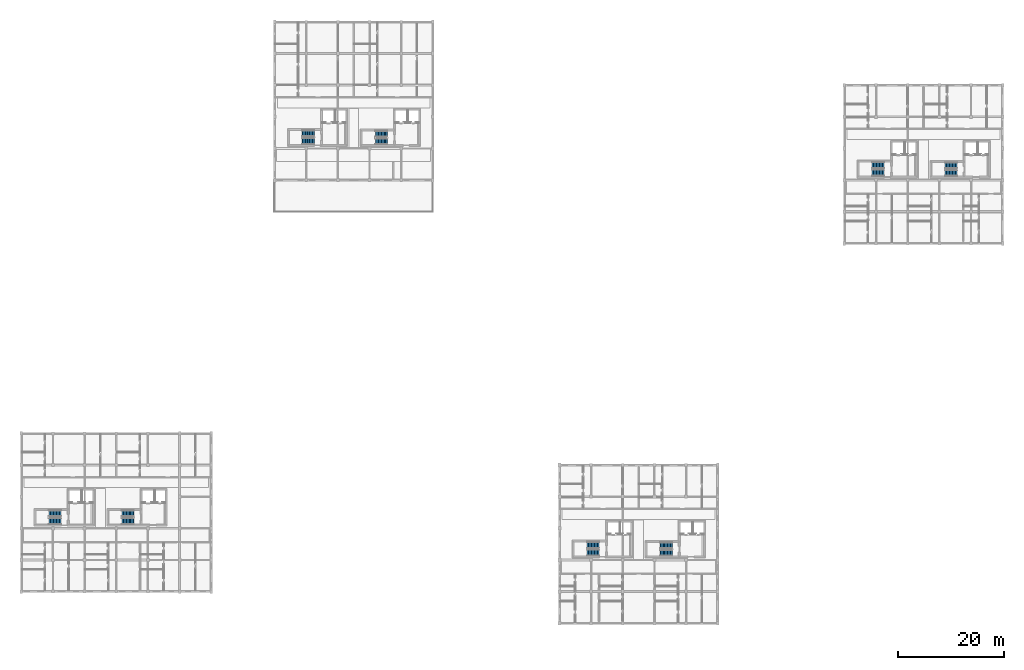
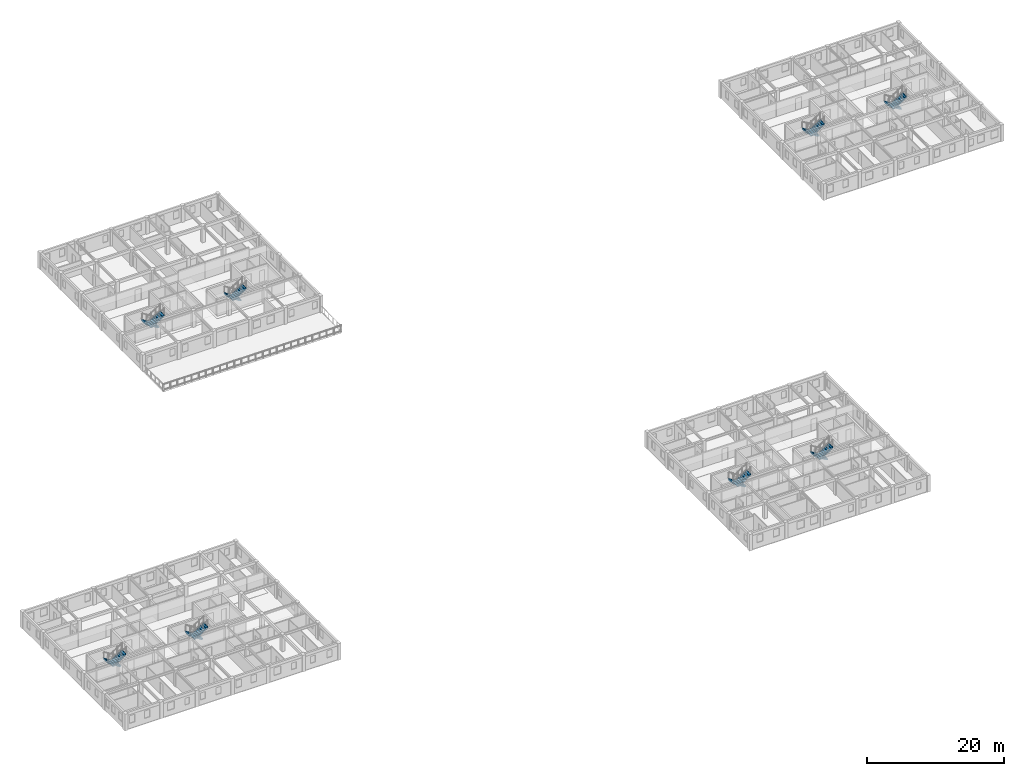
# One storey, part 24 of 28: 16 stair flights, 8 elements without a shape of their own.
"""IFC4 building model written with IfcOpenShell, lengths in metres."""

from ifc_helpers import new_model, si_unit, direction, frame, origin, place, context, subcontext, project, spatial, polyline, outline, extrude, material, type_object, element, aggregate, save


model = new_model("IFC4")

# Units and contexts
model_context = context("Model", 3, precision=1e-05, world=origin(), true_north=direction((0.0, 1.0)))
body_context = subcontext(model_context, "Body", "Model", "MODEL_VIEW")
ifc_project = project(units=[si_unit("LENGTHUNIT", "METRE"), si_unit("AREAUNIT", "SQUARE_METRE"), si_unit("VOLUMEUNIT", "CUBIC_METRE"), si_unit("PLANEANGLEUNIT", "RADIAN"), si_unit("MASSUNIT", "GRAM", prefix="KILO"), si_unit("POWERUNIT", "WATT"), si_unit("THERMODYNAMICTEMPERATUREUNIT", "KELVIN")], contexts=[model_context])

# Site, building, storey
site_placement = place(None, origin())
site = spatial("IfcSite", under=ifc_project, at=site_placement, CompositionType="ELEMENT")
building_placement = place(site_placement, origin())
building = spatial("IfcBuilding", under=site, at=building_placement, Name="Ruvembo Vaulted Housing Court", CompositionType="ELEMENT")
storey_placement = place(building_placement, frame((0.0, 0.0, 23.699951171875)))
storey = spatial("IfcBuildingStorey", under=building, at=storey_placement, Name="L07", CompositionType="ELEMENT", Elevation=23.699951171875)

# Stair, stair flights
ifc_material = material(Name="Concrete C35/45", Category="concrete")
stair_type_1 = type_object("IfcStairType", Name="STR-CORE-1200", PredefinedType="HALF_TURN_STAIR", material=ifc_material)
stair_1_placement = place(storey_placement, origin())
stair_1 = element("IfcStair", 1, at=stair_1_placement, inside=storey, type_object=stair_type_1, Name="L07 Protected Exit Stair ST-B2", PredefinedType="HALF_TURN_STAIR")
stair_flight_type_1 = type_object("IfcStairFlightType", Name="SFL-1200", PredefinedType="STRAIGHT", material=ifc_material)
stair_flight_1_placement = place(storey_placement, frame((69.35009765625, 92.75, 0.0), z_axis=(0.0, 0.0, 1.0), x_axis=(-1.0, 0.0, 0.0)))
stair_flight_1 = element("IfcStairFlight", 2, at=stair_flight_1_placement, type_object=stair_flight_type_1, Name="ST-B2 flight 1", NumberOfRisers=9, NumberOfTreads=8, PredefinedType="STRAIGHT", RiserHeight=0.177777778, TreadLength=0.28, context=body_context, shape_type="SweptSolid", body=[
    extrude(outline(polyline([(-0.02490234375, -0.0400390625), (-0.02490234375, 0.0), (0.0, 0.0), (0.0, 0.177734375), (0.280029296875, 0.177734375), (0.280029296875, 0.35546875), (0.56005859375, 0.35546875), (0.56005859375, 0.533447265625), (0.840087890625, 0.533447265625), (0.840087890625, 0.711181640625), (1.1201171875, 0.711181640625), (1.1201171875, 0.888916015625), (1.39990234375, 0.888916015625), (1.39990234375, 1.066650390625), (1.679931640625, 1.066650390625), (1.679931640625, 1.244384765625), (1.9599609375, 1.244384765625), (1.9599609375, 1.422119140625), (2.239990234375, 1.422119140625), (2.239990234375, 1.60009765625), (2.264892578125, 1.60009765625), (2.264892578125, 1.4501953125), (2.239990234375, 1.24462890625), (0.27978515625, 0.0), (0.0, -0.0400390625), (-0.02490234375, -0.0400390625)])), frame((0.0, 0.60009765625, 0.0), z_axis=(0.0, -1.0, 0.0), x_axis=(1.0, 0.0, 0.0)), (0.0, 0.0, 1.0), 1.199951171875),
])
stair_flight_2_placement = place(storey_placement, frame((67.110107421875, 91.35009765625, 1.60009765625), z_axis=(0.0, 0.0, 1.0), x_axis=(1.0, 0.0, 0.0)))
stair_flight_2 = element("IfcStairFlight", 3, at=stair_flight_2_placement, type_object=stair_flight_type_1, Name="ST-B2 flight 2", NumberOfRisers=9, NumberOfTreads=8, PredefinedType="STRAIGHT", RiserHeight=0.177777778, TreadLength=0.28, context=body_context, shape_type="SweptSolid", body=[
    extrude(outline(polyline([(-0.02490234375, -0.0400390625), (-0.02490234375, 0.0), (0.0, 0.0), (0.0, 0.177734375), (0.280029296875, 0.177734375), (0.280029296875, 0.35546875), (0.56005859375, 0.35546875), (0.56005859375, 0.533447265625), (0.840087890625, 0.533447265625), (0.840087890625, 0.711181640625), (1.1201171875, 0.711181640625), (1.1201171875, 0.888916015625), (1.39990234375, 0.888916015625), (1.39990234375, 1.066650390625), (1.679931640625, 1.066650390625), (1.679931640625, 1.244384765625), (1.9599609375, 1.244384765625), (1.9599609375, 1.422119140625), (2.239990234375, 1.422119140625), (2.239990234375, 1.60009765625), (2.264892578125, 1.60009765625), (2.264892578125, 1.4501953125), (2.239990234375, 1.24462890625), (0.27978515625, 0.0), (0.0, -0.0400390625), (-0.02490234375, -0.0400390625)])), frame((0.0, 0.60009765625, 0.0), z_axis=(0.0, -1.0, 0.0), x_axis=(1.0, 0.0, 0.0)), (0.0, 0.0, 1.0), 1.199951171875),
])
aggregate(stair_1, [stair_flight_1, stair_flight_2])

stair_2_placement = place(storey_placement, origin())
stair_2 = element("IfcStair", 4, at=stair_2_placement, inside=storey, type_object=stair_type_1, Name="L07 Protected Exit Stair ST-C2", PredefinedType="HALF_TURN_STAIR")
stair_flight_3_placement = place(storey_placement, frame((123.35009765625, 14.75, 0.0), z_axis=(0.0, 0.0, 1.0), x_axis=(-1.0, 0.0, 0.0)))
stair_flight_3 = element("IfcStairFlight", 5, at=stair_flight_3_placement, type_object=stair_flight_type_1, Name="ST-C2 flight 1", NumberOfRisers=9, NumberOfTreads=8, PredefinedType="STRAIGHT", RiserHeight=0.177777778, TreadLength=0.28, context=body_context, shape_type="SweptSolid", body=[
    extrude(outline(polyline([(-0.02490234375, -0.0400390625), (-0.02490234375, 0.0), (0.0, 0.0), (0.0, 0.177734375), (0.280029296875, 0.177734375), (0.280029296875, 0.35546875), (0.56005859375, 0.35546875), (0.56005859375, 0.533447265625), (0.840087890625, 0.533447265625), (0.840087890625, 0.711181640625), (1.1201171875, 0.711181640625), (1.1201171875, 0.888916015625), (1.39990234375, 0.888916015625), (1.39990234375, 1.066650390625), (1.679931640625, 1.066650390625), (1.679931640625, 1.244384765625), (1.9599609375, 1.244384765625), (1.9599609375, 1.422119140625), (2.239990234375, 1.422119140625), (2.239990234375, 1.60009765625), (2.264892578125, 1.60009765625), (2.264892578125, 1.4501953125), (2.239990234375, 1.24462890625), (0.27978515625, 0.0), (0.0, -0.0400390625), (-0.02490234375, -0.0400390625)])), frame((0.0, 0.60009765625, 0.0), z_axis=(0.0, -1.0, 0.0), x_axis=(1.0, 0.0, 0.0)), (0.0, 0.0, 1.0), 1.199951171875),
])
stair_flight_4_placement = place(storey_placement, frame((121.110107421875, 13.35009765625, 1.60009765625), z_axis=(0.0, 0.0, 1.0), x_axis=(1.0, 0.0, 0.0)))
stair_flight_4 = element("IfcStairFlight", 6, at=stair_flight_4_placement, type_object=stair_flight_type_1, Name="ST-C2 flight 2", NumberOfRisers=9, NumberOfTreads=8, PredefinedType="STRAIGHT", RiserHeight=0.177777778, TreadLength=0.28, context=body_context, shape_type="SweptSolid", body=[
    extrude(outline(polyline([(-0.02490234375, -0.0400390625), (-0.02490234375, 0.0), (0.0, 0.0), (0.0, 0.177734375), (0.280029296875, 0.177734375), (0.280029296875, 0.35546875), (0.56005859375, 0.35546875), (0.56005859375, 0.533447265625), (0.840087890625, 0.533447265625), (0.840087890625, 0.711181640625), (1.1201171875, 0.711181640625), (1.1201171875, 0.888916015625), (1.39990234375, 0.888916015625), (1.39990234375, 1.066650390625), (1.679931640625, 1.066650390625), (1.679931640625, 1.244384765625), (1.9599609375, 1.244384765625), (1.9599609375, 1.422119140625), (2.239990234375, 1.422119140625), (2.239990234375, 1.60009765625), (2.264892578125, 1.60009765625), (2.264892578125, 1.4501953125), (2.239990234375, 1.24462890625), (0.27978515625, 0.0), (0.0, -0.0400390625), (-0.02490234375, -0.0400390625)])), frame((0.0, 0.60009765625, 0.0), z_axis=(0.0, -1.0, 0.0), x_axis=(1.0, 0.0, 0.0)), (0.0, 0.0, 1.0), 1.199951171875),
])
aggregate(stair_2, [stair_flight_3, stair_flight_4])

stair_3_placement = place(storey_placement, origin())
stair_3 = element("IfcStair", 7, at=stair_3_placement, inside=storey, type_object=stair_type_1, Name="L07 Protected Exit Stair ST-D2", PredefinedType="HALF_TURN_STAIR")
stair_flight_5_placement = place(storey_placement, frame((177.35009765625, 86.75, 0.0), z_axis=(0.0, 0.0, 1.0), x_axis=(-1.0, 0.0, 0.0)))
stair_flight_5 = element("IfcStairFlight", 8, at=stair_flight_5_placement, type_object=stair_flight_type_1, Name="ST-D2 flight 1", NumberOfRisers=9, NumberOfTreads=8, PredefinedType="STRAIGHT", RiserHeight=0.177777778, TreadLength=0.28, context=body_context, shape_type="SweptSolid", body=[
    extrude(outline(polyline([(-0.02490234375, -0.0400390625), (-0.02490234375, 0.0), (0.0, 0.0), (0.0, 0.177734375), (0.280029296875, 0.177734375), (0.280029296875, 0.35546875), (0.56005859375, 0.35546875), (0.56005859375, 0.533447265625), (0.840087890625, 0.533447265625), (0.840087890625, 0.711181640625), (1.1201171875, 0.711181640625), (1.1201171875, 0.888916015625), (1.39990234375, 0.888916015625), (1.39990234375, 1.066650390625), (1.679931640625, 1.066650390625), (1.679931640625, 1.244384765625), (1.9599609375, 1.244384765625), (1.9599609375, 1.422119140625), (2.239990234375, 1.422119140625), (2.239990234375, 1.60009765625), (2.264892578125, 1.60009765625), (2.264892578125, 1.4501953125), (2.239990234375, 1.24462890625), (0.27978515625, 0.0), (0.0, -0.0400390625), (-0.02490234375, -0.0400390625)])), frame((0.0, 0.60009765625, 0.0), z_axis=(0.0, -1.0, 0.0), x_axis=(1.0, 0.0, 0.0)), (0.0, 0.0, 1.0), 1.199951171875),
])
stair_flight_6_placement = place(storey_placement, frame((175.110107421875, 85.35009765625, 1.60009765625), z_axis=(0.0, 0.0, 1.0), x_axis=(1.0, 0.0, 0.0)))
stair_flight_6 = element("IfcStairFlight", 9, at=stair_flight_6_placement, type_object=stair_flight_type_1, Name="ST-D2 flight 2", NumberOfRisers=9, NumberOfTreads=8, PredefinedType="STRAIGHT", RiserHeight=0.177777778, TreadLength=0.28, context=body_context, shape_type="SweptSolid", body=[
    extrude(outline(polyline([(-0.02490234375, -0.0400390625), (-0.02490234375, 0.0), (0.0, 0.0), (0.0, 0.177734375), (0.280029296875, 0.177734375), (0.280029296875, 0.35546875), (0.56005859375, 0.35546875), (0.56005859375, 0.533447265625), (0.840087890625, 0.533447265625), (0.840087890625, 0.711181640625), (1.1201171875, 0.711181640625), (1.1201171875, 0.888916015625), (1.39990234375, 0.888916015625), (1.39990234375, 1.066650390625), (1.679931640625, 1.066650390625), (1.679931640625, 1.244384765625), (1.9599609375, 1.244384765625), (1.9599609375, 1.422119140625), (2.239990234375, 1.422119140625), (2.239990234375, 1.60009765625), (2.264892578125, 1.60009765625), (2.264892578125, 1.4501953125), (2.239990234375, 1.24462890625), (0.27978515625, 0.0), (0.0, -0.0400390625), (-0.02490234375, -0.0400390625)])), frame((0.0, 0.60009765625, 0.0), z_axis=(0.0, -1.0, 0.0), x_axis=(1.0, 0.0, 0.0)), (0.0, 0.0, 1.0), 1.199951171875),
])
aggregate(stair_3, [stair_flight_5, stair_flight_6])

stair_type_2 = type_object("IfcStairType", Name="STR-CORE-1250", PredefinedType="HALF_TURN_STAIR", material=ifc_material)
stair_4_placement = place(storey_placement, origin())
stair_4 = element("IfcStair", 10, at=stair_4_placement, inside=storey, type_object=stair_type_2, Name="L07 Protected Exit Stair ST-A1", PredefinedType="HALF_TURN_STAIR")
stair_flight_type_2 = type_object("IfcStairFlightType", Name="SFL-1250", PredefinedType="STRAIGHT", material=ifc_material)
stair_flight_7_placement = place(storey_placement, frame((7.5, 20.824951171875, 0.0), z_axis=(0.0, 0.0, 1.0), x_axis=(-1.0, 0.0, 0.0)))
stair_flight_7 = element("IfcStairFlight", 11, at=stair_flight_7_placement, type_object=stair_flight_type_2, Name="ST-A1 flight 1", NumberOfRisers=9, NumberOfTreads=8, PredefinedType="STRAIGHT", RiserHeight=0.177777778, TreadLength=0.28, context=body_context, shape_type="SweptSolid", body=[
    extrude(outline(polyline([(-0.02490234375, -0.0400390625), (-0.02490234375, 0.0), (0.0, 0.0), (0.0, 0.177734375), (0.280029296875, 0.177734375), (0.280029296875, 0.35546875), (0.56005859375, 0.35546875), (0.56005859375, 0.533447265625), (0.840087890625, 0.533447265625), (0.840087890625, 0.711181640625), (1.1201171875, 0.711181640625), (1.1201171875, 0.888916015625), (1.39990234375, 0.888916015625), (1.39990234375, 1.066650390625), (1.679931640625, 1.066650390625), (1.679931640625, 1.244384765625), (1.9599609375, 1.244384765625), (1.9599609375, 1.422119140625), (2.239990234375, 1.422119140625), (2.239990234375, 1.60009765625), (2.264892578125, 1.60009765625), (2.264892578125, 1.4501953125), (2.239990234375, 1.24462890625), (0.27978515625, 0.0), (0.0, -0.0400390625), (-0.02490234375, -0.0400390625)])), frame((0.0, 0.625, 0.0), z_axis=(0.0, -1.0, 0.0), x_axis=(1.0, 0.0, 0.0)), (0.0, 0.0, 1.0), 1.25),
])
stair_flight_8_placement = place(storey_placement, frame((5.260009765625, 19.375, 1.60009765625), z_axis=(0.0, 0.0, 1.0), x_axis=(1.0, 0.0, 0.0)))
stair_flight_8 = element("IfcStairFlight", 12, at=stair_flight_8_placement, type_object=stair_flight_type_2, Name="ST-A1 flight 2", NumberOfRisers=9, NumberOfTreads=8, PredefinedType="STRAIGHT", RiserHeight=0.177777778, TreadLength=0.28, context=body_context, shape_type="SweptSolid", body=[
    extrude(outline(polyline([(-0.02490234375, -0.0400390625), (-0.02490234375, 0.0), (0.0, 0.0), (0.0, 0.177734375), (0.280029296875, 0.177734375), (0.280029296875, 0.35546875), (0.56005859375, 0.35546875), (0.56005859375, 0.533447265625), (0.840087890625, 0.533447265625), (0.840087890625, 0.711181640625), (1.1201171875, 0.711181640625), (1.1201171875, 0.888916015625), (1.39990234375, 0.888916015625), (1.39990234375, 1.066650390625), (1.679931640625, 1.066650390625), (1.679931640625, 1.244384765625), (1.9599609375, 1.244384765625), (1.9599609375, 1.422119140625), (2.239990234375, 1.422119140625), (2.239990234375, 1.60009765625), (2.264892578125, 1.60009765625), (2.264892578125, 1.4501953125), (2.239990234375, 1.24462890625), (0.27978515625, 0.0), (0.0, -0.0400390625), (-0.02490234375, -0.0400390625)])), frame((0.0, 0.625, 0.0), z_axis=(0.0, -1.0, 0.0), x_axis=(1.0, 0.0, 0.0)), (0.0, 0.0, 1.0), 1.25),
])
aggregate(stair_4, [stair_flight_7, stair_flight_8])

stair_5_placement = place(storey_placement, origin())
stair_5 = element("IfcStair", 13, at=stair_5_placement, inside=storey, type_object=stair_type_2, Name="L07 Protected Exit Stair ST-A2", PredefinedType="HALF_TURN_STAIR")
stair_flight_9_placement = place(storey_placement, frame((21.300048828125, 20.824951171875, 0.0), z_axis=(0.0, 0.0, 1.0), x_axis=(-1.0, 0.0, 0.0)))
stair_flight_9 = element("IfcStairFlight", 14, at=stair_flight_9_placement, type_object=stair_flight_type_2, Name="ST-A2 flight 1", NumberOfRisers=9, NumberOfTreads=8, PredefinedType="STRAIGHT", RiserHeight=0.177777778, TreadLength=0.28, context=body_context, shape_type="SweptSolid", body=[
    extrude(outline(polyline([(-0.02490234375, -0.0400390625), (-0.02490234375, 0.0), (0.0, 0.0), (0.0, 0.177734375), (0.280029296875, 0.177734375), (0.280029296875, 0.35546875), (0.56005859375, 0.35546875), (0.56005859375, 0.533447265625), (0.840087890625, 0.533447265625), (0.840087890625, 0.711181640625), (1.1201171875, 0.711181640625), (1.1201171875, 0.888916015625), (1.39990234375, 0.888916015625), (1.39990234375, 1.066650390625), (1.679931640625, 1.066650390625), (1.679931640625, 1.244384765625), (1.9599609375, 1.244384765625), (1.9599609375, 1.422119140625), (2.239990234375, 1.422119140625), (2.239990234375, 1.60009765625), (2.264892578125, 1.60009765625), (2.264892578125, 1.4501953125), (2.239990234375, 1.24462890625), (0.27978515625, 0.0), (0.0, -0.0400390625), (-0.02490234375, -0.0400390625)])), frame((0.0, 0.625, 0.0), z_axis=(0.0, -1.0, 0.0), x_axis=(1.0, 0.0, 0.0)), (0.0, 0.0, 1.0), 1.25),
])
stair_flight_10_placement = place(storey_placement, frame((19.06005859375, 19.375, 1.60009765625), z_axis=(0.0, 0.0, 1.0), x_axis=(1.0, 0.0, 0.0)))
stair_flight_10 = element("IfcStairFlight", 15, at=stair_flight_10_placement, type_object=stair_flight_type_2, Name="ST-A2 flight 2", NumberOfRisers=9, NumberOfTreads=8, PredefinedType="STRAIGHT", RiserHeight=0.177777778, TreadLength=0.28, context=body_context, shape_type="SweptSolid", body=[
    extrude(outline(polyline([(-0.02490234375, -0.0400390625), (-0.02490234375, 0.0), (0.0, 0.0), (0.0, 0.177734375), (0.280029296875, 0.177734375), (0.280029296875, 0.35546875), (0.56005859375, 0.35546875), (0.56005859375, 0.533447265625), (0.840087890625, 0.533447265625), (0.840087890625, 0.711181640625), (1.1201171875, 0.711181640625), (1.1201171875, 0.888916015625), (1.39990234375, 0.888916015625), (1.39990234375, 1.066650390625), (1.679931640625, 1.066650390625), (1.679931640625, 1.244384765625), (1.9599609375, 1.244384765625), (1.9599609375, 1.422119140625), (2.239990234375, 1.422119140625), (2.239990234375, 1.60009765625), (2.264892578125, 1.60009765625), (2.264892578125, 1.4501953125), (2.239990234375, 1.24462890625), (0.27978515625, 0.0), (0.0, -0.0400390625), (-0.02490234375, -0.0400390625)])), frame((0.0, 0.625, 0.0), z_axis=(0.0, -1.0, 0.0), x_axis=(1.0, 0.0, 0.0)), (0.0, 0.0, 1.0), 1.25),
])
aggregate(stair_5, [stair_flight_9, stair_flight_10])

stair_6_placement = place(storey_placement, origin())
stair_6 = element("IfcStair", 16, at=stair_6_placement, inside=storey, type_object=stair_type_2, Name="L07 Protected Exit Stair ST-B1", PredefinedType="HALF_TURN_STAIR")
stair_flight_11_placement = place(storey_placement, frame((55.5, 92.824951171875, 0.0), z_axis=(0.0, 0.0, 1.0), x_axis=(-1.0, 0.0, 0.0)))
stair_flight_11 = element("IfcStairFlight", 17, at=stair_flight_11_placement, type_object=stair_flight_type_2, Name="ST-B1 flight 1", NumberOfRisers=9, NumberOfTreads=8, PredefinedType="STRAIGHT", RiserHeight=0.177777778, TreadLength=0.28, context=body_context, shape_type="SweptSolid", body=[
    extrude(outline(polyline([(-0.02490234375, -0.0400390625), (-0.02490234375, 0.0), (0.0, 0.0), (0.0, 0.177734375), (0.280029296875, 0.177734375), (0.280029296875, 0.35546875), (0.56005859375, 0.35546875), (0.56005859375, 0.533447265625), (0.840087890625, 0.533447265625), (0.840087890625, 0.711181640625), (1.1201171875, 0.711181640625), (1.1201171875, 0.888916015625), (1.39990234375, 0.888916015625), (1.39990234375, 1.066650390625), (1.679931640625, 1.066650390625), (1.679931640625, 1.244384765625), (1.9599609375, 1.244384765625), (1.9599609375, 1.422119140625), (2.239990234375, 1.422119140625), (2.239990234375, 1.60009765625), (2.264892578125, 1.60009765625), (2.264892578125, 1.4501953125), (2.239990234375, 1.24462890625), (0.27978515625, 0.0), (0.0, -0.0400390625), (-0.02490234375, -0.0400390625)])), frame((0.0, 0.625, 0.0), z_axis=(0.0, -1.0, 0.0), x_axis=(1.0, 0.0, 0.0)), (0.0, 0.0, 1.0), 1.25),
])
stair_flight_12_placement = place(storey_placement, frame((53.260009765625, 91.375, 1.60009765625), z_axis=(0.0, 0.0, 1.0), x_axis=(1.0, 0.0, 0.0)))
stair_flight_12 = element("IfcStairFlight", 18, at=stair_flight_12_placement, type_object=stair_flight_type_2, Name="ST-B1 flight 2", NumberOfRisers=9, NumberOfTreads=8, PredefinedType="STRAIGHT", RiserHeight=0.177777778, TreadLength=0.28, context=body_context, shape_type="SweptSolid", body=[
    extrude(outline(polyline([(-0.02490234375, -0.0400390625), (-0.02490234375, 0.0), (0.0, 0.0), (0.0, 0.177734375), (0.280029296875, 0.177734375), (0.280029296875, 0.35546875), (0.56005859375, 0.35546875), (0.56005859375, 0.533447265625), (0.840087890625, 0.533447265625), (0.840087890625, 0.711181640625), (1.1201171875, 0.711181640625), (1.1201171875, 0.888916015625), (1.39990234375, 0.888916015625), (1.39990234375, 1.066650390625), (1.679931640625, 1.066650390625), (1.679931640625, 1.244384765625), (1.9599609375, 1.244384765625), (1.9599609375, 1.422119140625), (2.239990234375, 1.422119140625), (2.239990234375, 1.60009765625), (2.264892578125, 1.60009765625), (2.264892578125, 1.4501953125), (2.239990234375, 1.24462890625), (0.27978515625, 0.0), (0.0, -0.0400390625), (-0.02490234375, -0.0400390625)])), frame((0.0, 0.625, 0.0), z_axis=(0.0, -1.0, 0.0), x_axis=(1.0, 0.0, 0.0)), (0.0, 0.0, 1.0), 1.25),
])
aggregate(stair_6, [stair_flight_11, stair_flight_12])

stair_7_placement = place(storey_placement, origin())
stair_7 = element("IfcStair", 19, at=stair_7_placement, inside=storey, type_object=stair_type_2, Name="L07 Protected Exit Stair ST-C1", PredefinedType="HALF_TURN_STAIR")
stair_flight_13_placement = place(storey_placement, frame((109.5, 14.824951171875, 0.0), z_axis=(0.0, 0.0, 1.0), x_axis=(-1.0, 0.0, 0.0)))
stair_flight_13 = element("IfcStairFlight", 20, at=stair_flight_13_placement, type_object=stair_flight_type_2, Name="ST-C1 flight 1", NumberOfRisers=9, NumberOfTreads=8, PredefinedType="STRAIGHT", RiserHeight=0.177777778, TreadLength=0.28, context=body_context, shape_type="SweptSolid", body=[
    extrude(outline(polyline([(-0.02490234375, -0.0400390625), (-0.02490234375, 0.0), (0.0, 0.0), (0.0, 0.177734375), (0.280029296875, 0.177734375), (0.280029296875, 0.35546875), (0.56005859375, 0.35546875), (0.56005859375, 0.533447265625), (0.840087890625, 0.533447265625), (0.840087890625, 0.711181640625), (1.1201171875, 0.711181640625), (1.1201171875, 0.888916015625), (1.39990234375, 0.888916015625), (1.39990234375, 1.066650390625), (1.679931640625, 1.066650390625), (1.679931640625, 1.244384765625), (1.9599609375, 1.244384765625), (1.9599609375, 1.422119140625), (2.239990234375, 1.422119140625), (2.239990234375, 1.60009765625), (2.264892578125, 1.60009765625), (2.264892578125, 1.4501953125), (2.239990234375, 1.24462890625), (0.27978515625, 0.0), (0.0, -0.0400390625), (-0.02490234375, -0.0400390625)])), frame((0.0, 0.625, 0.0), z_axis=(0.0, -1.0, 0.0), x_axis=(1.0, 0.0, 0.0)), (0.0, 0.0, 1.0), 1.25),
])
stair_flight_14_placement = place(storey_placement, frame((107.260009765625, 13.375, 1.60009765625), z_axis=(0.0, 0.0, 1.0), x_axis=(1.0, 0.0, 0.0)))
stair_flight_14 = element("IfcStairFlight", 21, at=stair_flight_14_placement, type_object=stair_flight_type_2, Name="ST-C1 flight 2", NumberOfRisers=9, NumberOfTreads=8, PredefinedType="STRAIGHT", RiserHeight=0.177777778, TreadLength=0.28, context=body_context, shape_type="SweptSolid", body=[
    extrude(outline(polyline([(-0.02490234375, -0.0400390625), (-0.02490234375, 0.0), (0.0, 0.0), (0.0, 0.177734375), (0.280029296875, 0.177734375), (0.280029296875, 0.35546875), (0.56005859375, 0.35546875), (0.56005859375, 0.533447265625), (0.840087890625, 0.533447265625), (0.840087890625, 0.711181640625), (1.1201171875, 0.711181640625), (1.1201171875, 0.888916015625), (1.39990234375, 0.888916015625), (1.39990234375, 1.066650390625), (1.679931640625, 1.066650390625), (1.679931640625, 1.244384765625), (1.9599609375, 1.244384765625), (1.9599609375, 1.422119140625), (2.239990234375, 1.422119140625), (2.239990234375, 1.60009765625), (2.264892578125, 1.60009765625), (2.264892578125, 1.4501953125), (2.239990234375, 1.24462890625), (0.27978515625, 0.0), (0.0, -0.0400390625), (-0.02490234375, -0.0400390625)])), frame((0.0, 0.625, 0.0), z_axis=(0.0, -1.0, 0.0), x_axis=(1.0, 0.0, 0.0)), (0.0, 0.0, 1.0), 1.25),
])
aggregate(stair_7, [stair_flight_13, stair_flight_14])

stair_8_placement = place(storey_placement, origin())
stair_8 = element("IfcStair", 22, at=stair_8_placement, inside=storey, type_object=stair_type_2, Name="L07 Protected Exit Stair ST-D1", PredefinedType="HALF_TURN_STAIR")
stair_flight_15_placement = place(storey_placement, frame((163.5, 86.824951171875, 0.0), z_axis=(0.0, 0.0, 1.0), x_axis=(-1.0, 0.0, 0.0)))
stair_flight_15 = element("IfcStairFlight", 23, at=stair_flight_15_placement, type_object=stair_flight_type_2, Name="ST-D1 flight 1", NumberOfRisers=9, NumberOfTreads=8, PredefinedType="STRAIGHT", RiserHeight=0.177777778, TreadLength=0.28, context=body_context, shape_type="SweptSolid", body=[
    extrude(outline(polyline([(-0.02490234375, -0.0400390625), (-0.02490234375, 0.0), (0.0, 0.0), (0.0, 0.177734375), (0.280029296875, 0.177734375), (0.280029296875, 0.35546875), (0.56005859375, 0.35546875), (0.56005859375, 0.533447265625), (0.840087890625, 0.533447265625), (0.840087890625, 0.711181640625), (1.1201171875, 0.711181640625), (1.1201171875, 0.888916015625), (1.39990234375, 0.888916015625), (1.39990234375, 1.066650390625), (1.679931640625, 1.066650390625), (1.679931640625, 1.244384765625), (1.9599609375, 1.244384765625), (1.9599609375, 1.422119140625), (2.239990234375, 1.422119140625), (2.239990234375, 1.60009765625), (2.264892578125, 1.60009765625), (2.264892578125, 1.4501953125), (2.239990234375, 1.24462890625), (0.27978515625, 0.0), (0.0, -0.0400390625), (-0.02490234375, -0.0400390625)])), frame((0.0, 0.625, 0.0), z_axis=(0.0, -1.0, 0.0), x_axis=(1.0, 0.0, 0.0)), (0.0, 0.0, 1.0), 1.25),
])
stair_flight_16_placement = place(storey_placement, frame((161.260009765625, 85.375, 1.60009765625), z_axis=(0.0, 0.0, 1.0), x_axis=(1.0, 0.0, 0.0)))
stair_flight_16 = element("IfcStairFlight", 24, at=stair_flight_16_placement, type_object=stair_flight_type_2, Name="ST-D1 flight 2", NumberOfRisers=9, NumberOfTreads=8, PredefinedType="STRAIGHT", RiserHeight=0.177777778, TreadLength=0.28, context=body_context, shape_type="SweptSolid", body=[
    extrude(outline(polyline([(-0.02490234375, -0.0400390625), (-0.02490234375, 0.0), (0.0, 0.0), (0.0, 0.177734375), (0.280029296875, 0.177734375), (0.280029296875, 0.35546875), (0.56005859375, 0.35546875), (0.56005859375, 0.533447265625), (0.840087890625, 0.533447265625), (0.840087890625, 0.711181640625), (1.1201171875, 0.711181640625), (1.1201171875, 0.888916015625), (1.39990234375, 0.888916015625), (1.39990234375, 1.066650390625), (1.679931640625, 1.066650390625), (1.679931640625, 1.244384765625), (1.9599609375, 1.244384765625), (1.9599609375, 1.422119140625), (2.239990234375, 1.422119140625), (2.239990234375, 1.60009765625), (2.264892578125, 1.60009765625), (2.264892578125, 1.4501953125), (2.239990234375, 1.24462890625), (0.27978515625, 0.0), (0.0, -0.0400390625), (-0.02490234375, -0.0400390625)])), frame((0.0, 0.625, 0.0), z_axis=(0.0, -1.0, 0.0), x_axis=(1.0, 0.0, 0.0)), (0.0, 0.0, 1.0), 1.25),
])
aggregate(stair_8, [stair_flight_15, stair_flight_16])

save(model, "model.ifc")
